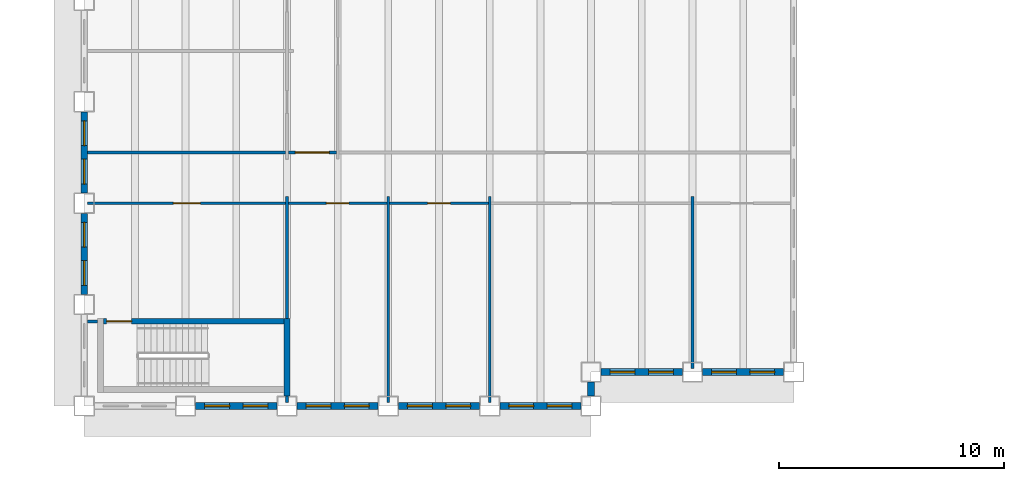
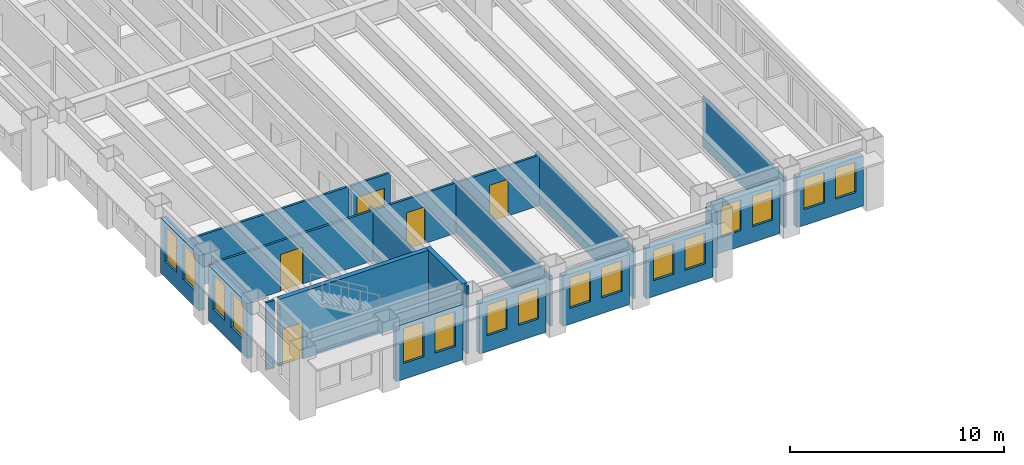
# One storey, part 3 of 13: 22 walls, 16 windows, 5 doors, 21 openings.
"""IFC4 building model written with IfcOpenShell, lengths in metres."""

from ifc_helpers import new_model, si_unit, direction, frame, frame_2d, origin, place, context, subcontext, project, spatial, rectangle, extrude, material, layer, layer_set, type_object, element, fill, save


model = new_model("IFC4")

# Units and contexts
model_context = context("Model", 3, precision=1e-05, world=origin(), true_north=direction((0.0, 1.0)))
body_context = subcontext(model_context, "Body", "Model", "MODEL_VIEW")
ifc_project = project(units=[si_unit("LENGTHUNIT", "METRE"), si_unit("AREAUNIT", "SQUARE_METRE"), si_unit("VOLUMEUNIT", "CUBIC_METRE"), si_unit("PLANEANGLEUNIT", "RADIAN"), si_unit("MASSUNIT", "GRAM", prefix="KILO")], contexts=[model_context])

# Site, building, storey
site_placement = place(None, origin())
site = spatial("IfcSite", under=ifc_project, at=site_placement, CompositionType="ELEMENT")
building_placement = place(site_placement, origin())
building = spatial("IfcBuilding", under=site, at=building_placement, Name="Sennacour Bend Tower", CompositionType="ELEMENT")
storey_placement = place(building_placement, frame((0.0, 0.0, 139.0)))
storey = spatial("IfcBuildingStorey", under=building, at=storey_placement, Name="L31", CompositionType="ELEMENT", Elevation=139.0)

# Walls
ifc_material_1 = material(Name="Plasterboard partition on steel studs", Category="steel")
ifc_layer_1 = layer(ifc_material_1, 0.1201171875, Name="Plasterboard partition on steel studs", Category="steel")
ifc_layer_set_1 = layer_set([ifc_layer_1], Name="Plasterboard partition on steel studs")
wall_type_1 = type_object("IfcWallType", Name="Partition 120", PredefinedType="PARTITIONING", material=ifc_layer_set_1)
wall_1_placement = place(storey_placement, frame((9.0, 0.14990234375, 0.0), z_axis=(0.0, 0.0, 1.0), x_axis=(0.0, 1.0, 0.0)))
element("IfcWall", 1, at=wall_1_placement, inside=storey, type_object=wall_type_1, Name="P-L31-W010a", PredefinedType="PARTITIONING", context=body_context, shape_type="SweptSolid", body=[
    extrude(rectangle(XDim=0.300048828125, YDim=0.1201171875, at=frame_2d((0.14990234375, 0.0))), origin(), (0.0, 0.0, 1.0), 3.85009765625),
])
wall_2_placement = place(storey_placement, frame((9.0, 3.875, 0.0), z_axis=(0.0, 0.0, 1.0), x_axis=(0.0, 1.0, 0.0)))
element("IfcWall", 2, at=wall_2_placement, inside=storey, type_object=wall_type_1, Name="P-L31-W012a", PredefinedType="PARTITIONING", context=body_context, shape_type="SweptSolid", body=[
    extrude(rectangle(XDim=5.425048828125, YDim=0.1201171875, at=frame_2d((2.71240234375, 0.0))), origin(), (0.0, 0.0, 1.0), 2.8701171875),
])
for number, where, z_axis, x_axis, name in (
    (3, (13.5, 0.14990234375, 0.0), (0.0, 0.0, 1.0), (0.0, 1.0, 0.0), "P-L31-W017a"),
    (4, (18.0, 0.14990234375, 0.0), (0.0, 0.0, 1.0), (0.0, 1.0, 0.0), "P-L31-W019a"),
):
    element("IfcWall", number, at=place(storey_placement, frame(where, z_axis=z_axis, x_axis=x_axis)), inside=storey, type_object=wall_type_1, Name=name, PredefinedType="PARTITIONING", context=body_context, shape_type="SweptSolid", body=[
        extrude(rectangle(XDim=9.150146484375, YDim=0.1201171875, at=frame_2d((4.5751953125, 0.0))), origin(), (0.0, 0.0, 1.0), 2.8701171875),
    ])
wall_3_placement = place(storey_placement, frame((27.0, 1.64990234375, 0.0), z_axis=(0.0, 0.0, 1.0), x_axis=(0.0, 1.0, 0.0)))
element("IfcWall", 5, at=wall_3_placement, inside=storey, type_object=wall_type_1, Name="P-L31-W023a", PredefinedType="PARTITIONING", context=body_context, shape_type="SweptSolid", body=[
    extrude(rectangle(XDim=7.650146484375, YDim=0.1201171875, at=frame_2d((3.8251953125, 0.0))), origin(), (0.0, 0.0, 1.0), 2.8701171875),
])
wall_4_placement = place(storey_placement, frame((0.14990234375, 3.75, 0.0), z_axis=(0.0, 0.0, 1.0), x_axis=(1.0, 0.0, 0.0)))
element("IfcWall", 6, at=wall_4_placement, inside=storey, type_object=wall_type_1, Name="P-L31-W045a", PredefinedType="PARTITIONING", context=body_context, shape_type="SweptSolid", body=[
    extrude(rectangle(XDim=0.4501953125, YDim=0.1201171875, at=frame_2d((0.22509765625, 0.0))), origin(), (0.0, 0.0, 1.0), 3.85009765625),
])

# Wall, opening, door
wall_5_placement = place(storey_placement, frame((9.06005859375, 9.0, 0.0), z_axis=(0.0, 0.0, 1.0), x_axis=(1.0, 0.0, 0.0)))
wall_5 = element("IfcWall", 7, at=wall_5_placement, inside=storey, type_object=wall_type_1, Name="P-L31-W053ab", PredefinedType="PARTITIONING", context=body_context, shape_type="SweptSolid", body=[
    extrude(rectangle(XDim=4.3798828125, YDim=0.1201171875, at=frame_2d((2.18994140625, 0.0))), origin(), (0.0, 0.0, 1.0), 2.8701171875),
])
opening_1_placement = place(wall_5_placement, frame((1.68994140625, 0.0, 0.0)))
opening_1 = element("IfcOpeningElement", 8, at=opening_1_placement, cuts=wall_5, Name="Opening OD2", PredefinedType="OPENING", context=body_context, shape_type="SweptSolid", body=[
    extrude(rectangle(XDim=1.0, YDim=2.10009765625, at=frame_2d((0.5, 1.050048828125))), frame((0.0, 0.070068359375, 0.0), z_axis=(0.0, -1.0, 0.0), x_axis=(1.0, 0.0, 0.0)), (0.0, 0.0, 1.0), 0.14013671875),
])
ifc_material_2 = material(Name="Timber", Category="wood")
door_type_1 = type_object("IfcDoorType", Name="DR-OFFICE-1000", OperationType="NOTDEFINED", PredefinedType="DOOR", material=ifc_material_2)
door_1_placement = place(opening_1_placement, origin())
door_1 = element("IfcDoor", 9, at=door_1_placement, inside=storey, type_object=door_type_1, Name="Door", OperationType="SINGLE_SWING_LEFT", OverallHeight=2.10009765625, OverallWidth=1.0, PredefinedType="DOOR", context=body_context, shape_type="SweptSolid", body=[
    extrude(rectangle(XDim=1.0, YDim=2.10009765625, at=frame_2d((0.5, 1.050048828125))), frame((0.0, 0.02490234375, 0.0), z_axis=(0.0, -1.0, 0.0), x_axis=(1.0, 0.0, 0.0)), (0.0, 0.0, 1.0), 0.050048828125),
])
fill(opening_1, door_1)

wall_6_placement = place(storey_placement, frame((13.56005859375, 9.0, 0.0), z_axis=(0.0, 0.0, 1.0), x_axis=(1.0, 0.0, 0.0)))
wall_6 = element("IfcWall", 10, at=wall_6_placement, inside=storey, type_object=wall_type_1, Name="P-L31-W053ac", PredefinedType="PARTITIONING", context=body_context, shape_type="SweptSolid", body=[
    extrude(rectangle(XDim=4.3798828125, YDim=0.1201171875, at=frame_2d((2.18994140625, 0.0))), origin(), (0.0, 0.0, 1.0), 2.8701171875),
])
opening_2_placement = place(wall_6_placement, frame((1.68994140625, 0.0, 0.0)))
opening_2 = element("IfcOpeningElement", 11, at=opening_2_placement, cuts=wall_6, Name="Opening MD2", PredefinedType="OPENING", context=body_context, shape_type="SweptSolid", body=[
    extrude(rectangle(XDim=1.0, YDim=2.10009765625, at=frame_2d((0.5, 1.050048828125))), frame((0.0, 0.070068359375, 0.0), z_axis=(0.0, -1.0, 0.0), x_axis=(1.0, 0.0, 0.0)), (0.0, 0.0, 1.0), 0.14013671875),
])
door_type_2 = type_object("IfcDoorType", Name="DR-MEETING-1000", OperationType="NOTDEFINED", PredefinedType="DOOR", material=ifc_material_2)
door_2_placement = place(opening_2_placement, origin())
door_2 = element("IfcDoor", 12, at=door_2_placement, inside=storey, type_object=door_type_2, Name="Door", OperationType="SINGLE_SWING_LEFT", OverallHeight=2.10009765625, OverallWidth=1.0, PredefinedType="DOOR", context=body_context, shape_type="SweptSolid", body=[
    extrude(rectangle(XDim=1.0, YDim=2.10009765625, at=frame_2d((0.5, 1.050048828125))), frame((0.0, 0.02490234375, 0.0), z_axis=(0.0, -1.0, 0.0), x_axis=(1.0, 0.0, 0.0)), (0.0, 0.0, 1.0), 0.050048828125),
])
fill(opening_2, door_2)

# Wall
wall_7_placement = place(storey_placement, frame((0.14990234375, 11.25, 0.0), z_axis=(0.0, 0.0, 1.0), x_axis=(1.0, 0.0, 0.0)))
element("IfcWall", 13, at=wall_7_placement, inside=storey, type_object=wall_type_1, Name="P-L31-W056aa", PredefinedType="PARTITIONING", context=body_context, shape_type="SweptSolid", body=[
    extrude(rectangle(XDim=8.7900390625, YDim=0.1201171875, at=frame_2d((4.39501953125, 0.0))), origin(), (0.0, 0.0, 1.0), 2.8701171875),
])

# Wall, opening, door
ifc_layer_2 = layer(ifc_material_1, 0.1201171875, Name="Plasterboard partition on steel studs", Category="steel")
ifc_layer_set_2 = layer_set([ifc_layer_2], Name="Plasterboard partition on steel studs")
wall_type_2 = type_object("IfcWallType", Name="Partition 120 EI 30", PredefinedType="PARTITIONING", material=ifc_layer_set_2)
wall_8_placement = place(storey_placement, frame((0.14990234375, 9.0, 0.0), z_axis=(0.0, 0.0, 1.0), x_axis=(1.0, 0.0, 0.0)))
wall_8 = element("IfcWall", 14, at=wall_8_placement, inside=storey, type_object=wall_type_2, Name="P-L31-W053aa", PredefinedType="PARTITIONING", context=body_context, shape_type="SweptSolid", body=[
    extrude(rectangle(XDim=8.7900390625, YDim=0.1201171875, at=frame_2d((4.39501953125, 0.0))), origin(), (0.0, 0.0, 1.0), 2.8701171875),
])
opening_3_placement = place(wall_8_placement, frame((3.80517578125, 0.0, 0.0)))
opening_3 = element("IfcOpeningElement", 15, at=opening_3_placement, cuts=wall_8, Name="Opening KD2", PredefinedType="OPENING", context=body_context, shape_type="SweptSolid", body=[
    extrude(rectangle(XDim=1.199951171875, YDim=2.10009765625, at=frame_2d((0.60009765625, 1.050048828125))), frame((0.0, 0.070068359375, 0.0), z_axis=(0.0, -1.0, 0.0), x_axis=(1.0, 0.0, 0.0)), (0.0, 0.0, 1.0), 0.14013671875),
])
ifc_material_3 = material(Name="Painted steel", Category="steel")
door_type_3 = type_object("IfcDoorType", Name="DR-CORRIDOR-1200", OperationType="NOTDEFINED", PredefinedType="DOOR", material=ifc_material_3)
door_3_placement = place(opening_3_placement, origin())
door_3 = element("IfcDoor", 16, at=door_3_placement, inside=storey, type_object=door_type_3, Name="Door", OperationType="SINGLE_SWING_RIGHT", OverallHeight=2.10009765625, OverallWidth=1.199951171875, PredefinedType="DOOR", context=body_context, shape_type="SweptSolid", body=[
    extrude(rectangle(XDim=1.199951171875, YDim=2.10009765625, at=frame_2d((0.60009765625, 1.050048828125))), frame((0.0, 0.02490234375, 0.0), z_axis=(0.0, -1.0, 0.0), x_axis=(1.0, 0.0, 0.0)), (0.0, 0.0, 1.0), 0.050048828125),
])
fill(opening_3, door_3)

wall_9_placement = place(storey_placement, frame((9.06005859375, 11.25, 0.0), z_axis=(0.0, 0.0, 1.0), x_axis=(1.0, 0.0, 0.0)))
wall_9 = element("IfcWall", 17, at=wall_9_placement, inside=storey, type_object=wall_type_2, Name="P-L31-W056ab", PredefinedType="PARTITIONING", context=body_context, shape_type="SweptSolid", body=[
    extrude(rectangle(XDim=2.1298828125, YDim=0.1201171875, at=frame_2d((1.06494140625, 0.0))), origin(), (0.0, 0.0, 1.0), 2.8701171875),
])
opening_4_placement = place(wall_9_placement, frame((0.31494140625, 0.0, 0.0)))
opening_4 = element("IfcOpeningElement", 18, at=opening_4_placement, cuts=wall_9, Name="Opening KD", PredefinedType="OPENING", context=body_context, shape_type="SweptSolid", body=[
    extrude(rectangle(XDim=1.5, YDim=2.10009765625, at=frame_2d((0.75, 1.050048828125))), frame((0.0, 0.070068359375, 0.0), z_axis=(0.0, -1.0, 0.0), x_axis=(1.0, 0.0, 0.0)), (0.0, 0.0, 1.0), 0.14013671875),
])
door_type_4 = type_object("IfcDoorType", Name="DR-CORRIDOR-1500", OperationType="NOTDEFINED", PredefinedType="DOOR", material=ifc_material_3)
door_4_placement = place(opening_4_placement, origin())
door_4 = element("IfcDoor", 19, at=door_4_placement, inside=storey, type_object=door_type_4, Name="Door", OperationType="SINGLE_SWING_LEFT", OverallHeight=2.10009765625, OverallWidth=1.5, PredefinedType="DOOR", context=body_context, shape_type="SweptSolid", body=[
    extrude(rectangle(XDim=1.5, YDim=2.10009765625, at=frame_2d((0.75, 1.050048828125))), frame((0.0, 0.02490234375, 0.0), z_axis=(0.0, -1.0, 0.0), x_axis=(1.0, 0.0, 0.0)), (0.0, 0.0, 1.0), 0.050048828125),
])
fill(opening_4, door_4)

# Wall, openings, windows
ifc_material_4 = material(Name="Warm limestone cladding", Category="masonry")
ifc_layer_3 = layer(ifc_material_4, 0.050048828125, Name="Warm limestone cladding", Category="masonry")
ifc_material_5 = material(Name="Precast concrete C40/50", Category="concrete")
ifc_layer_4 = layer(ifc_material_5, 0.25, Name="Precast concrete C40/50", Category="concrete")
ifc_layer_set_3 = layer_set([ifc_layer_3, ifc_layer_4], Name="Precast concrete C40/50 with limestone cladding")
wall_type_3 = type_object("IfcWallType", Name="STONE-CLAD PRECAST SPANDREL 300", PredefinedType="STANDARD", material=ifc_layer_set_3)
wall_10_placement = place(storey_placement, frame((0.0, 13.050048828125, 0.0), z_axis=(0.0, 0.0, 1.0), x_axis=(0.0, -1.0, 0.0)))
wall_10 = element("IfcWall", 20, at=wall_10_placement, inside=storey, type_object=wall_type_3, Name="Stone spandrel and pier wall L31 23.02", PredefinedType="STANDARD", context=body_context, shape_type="SweptSolid", body=[
    extrude(rectangle(XDim=3.60009765625, YDim=0.300048828125, at=frame_2d((1.800048828125, 0.0))), origin(), (0.0, 0.0, 1.0), 3.14892578125),
])
opening_5_placement = place(wall_10_placement, frame((0.39990234375, 0.0, 0.89990234375)))
opening_5 = element("IfcOpeningElement", 21, at=opening_5_placement, cuts=wall_10, Name="Opening W19", PredefinedType="OPENING", context=body_context, shape_type="SweptSolid", body=[
    extrude(rectangle(XDim=1.10009765625, YDim=2.0, at=frame_2d((0.550048828125, 1.0))), frame((0.0, 0.16015625, 0.0), z_axis=(0.0, -1.0, 0.0), x_axis=(1.0, 0.0, 0.0)), (0.0, 0.0, 1.0), 0.320068359375),
])
opening_6_placement = place(wall_10_placement, frame((2.10009765625, 0.0, 0.89990234375)))
opening_6 = element("IfcOpeningElement", 22, at=opening_6_placement, cuts=wall_10, Name="Opening W19", PredefinedType="OPENING", context=body_context, shape_type="SweptSolid", body=[
    extrude(rectangle(XDim=1.10009765625, YDim=2.0, at=frame_2d((0.550048828125, 1.0))), frame((0.0, 0.16015625, 0.0), z_axis=(0.0, -1.0, 0.0), x_axis=(1.0, 0.0, 0.0)), (0.0, 0.0, 1.0), 0.320068359375),
])
ifc_material_6 = material(Name="Clear low-emissivity glass", Category="glass")
window_type_1 = type_object("IfcWindowType", Name="WIN-RIBBON-1100x2000", PartitioningType="SINGLE_PANEL", PredefinedType="WINDOW", material=ifc_material_6)
window_1_placement = place(opening_5_placement, origin())
window_1 = element("IfcWindow", 23, at=window_1_placement, inside=storey, type_object=window_type_1, Name="Ribbon window L31 23.02.0", OverallHeight=2.0, OverallWidth=1.10009765625, PartitioningType="SINGLE_PANEL", PredefinedType="WINDOW", context=body_context, shape_type="SweptSolid", body=[
    extrude(rectangle(XDim=1.10009765625, YDim=2.0, at=frame_2d((0.550048828125, 1.0))), frame((0.0, 0.030029296875, 0.0), z_axis=(0.0, -1.0, 0.0), x_axis=(1.0, 0.0, 0.0)), (0.0, 0.0, 1.0), 0.06005859375),
])
fill(opening_5, window_1)
window_2_placement = place(opening_6_placement, origin())
window_2 = element("IfcWindow", 24, at=window_2_placement, inside=storey, type_object=window_type_1, Name="Ribbon window L31 23.02.1", OverallHeight=2.0, OverallWidth=1.10009765625, PartitioningType="SINGLE_PANEL", PredefinedType="WINDOW", context=body_context, shape_type="SweptSolid", body=[
    extrude(rectangle(XDim=1.10009765625, YDim=2.0, at=frame_2d((0.550048828125, 1.0))), frame((0.0, 0.030029296875, 0.0), z_axis=(0.0, -1.0, 0.0), x_axis=(1.0, 0.0, 0.0)), (0.0, 0.0, 1.0), 0.06005859375),
])
fill(opening_6, window_2)

wall_11_placement = place(storey_placement, frame((0.0, 8.550048828125, 0.0), z_axis=(0.0, 0.0, 1.0), x_axis=(0.0, -1.0, 0.0)))
wall_11 = element("IfcWall", 25, at=wall_11_placement, inside=storey, type_object=wall_type_3, Name="Stone spandrel and pier wall L31 23.03", PredefinedType="STANDARD", context=body_context, shape_type="SweptSolid", body=[
    extrude(rectangle(XDim=3.60009765625, YDim=0.300048828125, at=frame_2d((1.800048828125, 0.0))), origin(), (0.0, 0.0, 1.0), 3.14892578125),
])
opening_7_placement = place(wall_11_placement, frame((0.39990234375, 0.0, 0.89990234375)))
opening_7 = element("IfcOpeningElement", 26, at=opening_7_placement, cuts=wall_11, Name="Opening W19", PredefinedType="OPENING", context=body_context, shape_type="SweptSolid", body=[
    extrude(rectangle(XDim=1.10009765625, YDim=2.0, at=frame_2d((0.550048828125, 1.0))), frame((0.0, 0.16015625, 0.0), z_axis=(0.0, -1.0, 0.0), x_axis=(1.0, 0.0, 0.0)), (0.0, 0.0, 1.0), 0.320068359375),
])
opening_8_placement = place(wall_11_placement, frame((2.10009765625, 0.0, 0.89990234375)))
opening_8 = element("IfcOpeningElement", 27, at=opening_8_placement, cuts=wall_11, Name="Opening W19", PredefinedType="OPENING", context=body_context, shape_type="SweptSolid", body=[
    extrude(rectangle(XDim=1.10009765625, YDim=2.0, at=frame_2d((0.550048828125, 1.0))), frame((0.0, 0.16015625, 0.0), z_axis=(0.0, -1.0, 0.0), x_axis=(1.0, 0.0, 0.0)), (0.0, 0.0, 1.0), 0.320068359375),
])
window_3_placement = place(opening_7_placement, origin())
window_3 = element("IfcWindow", 28, at=window_3_placement, inside=storey, type_object=window_type_1, Name="Ribbon window L31 23.03.0", OverallHeight=2.0, OverallWidth=1.10009765625, PartitioningType="SINGLE_PANEL", PredefinedType="WINDOW", context=body_context, shape_type="SweptSolid", body=[
    extrude(rectangle(XDim=1.10009765625, YDim=2.0, at=frame_2d((0.550048828125, 1.0))), frame((0.0, 0.030029296875, 0.0), z_axis=(0.0, -1.0, 0.0), x_axis=(1.0, 0.0, 0.0)), (0.0, 0.0, 1.0), 0.06005859375),
])
fill(opening_7, window_3)
window_4_placement = place(opening_8_placement, origin())
window_4 = element("IfcWindow", 29, at=window_4_placement, inside=storey, type_object=window_type_1, Name="Ribbon window L31 23.03.1", OverallHeight=2.0, OverallWidth=1.10009765625, PartitioningType="SINGLE_PANEL", PredefinedType="WINDOW", context=body_context, shape_type="SweptSolid", body=[
    extrude(rectangle(XDim=1.10009765625, YDim=2.0, at=frame_2d((0.550048828125, 1.0))), frame((0.0, 0.030029296875, 0.0), z_axis=(0.0, -1.0, 0.0), x_axis=(1.0, 0.0, 0.0)), (0.0, 0.0, 1.0), 0.06005859375),
])
fill(opening_8, window_4)

wall_12_placement = place(storey_placement, frame((4.949951171875, 0.0, 0.0), z_axis=(0.0, 0.0, 1.0), x_axis=(1.0, 0.0, 0.0)))
wall_12 = element("IfcWall", 30, at=wall_12_placement, inside=storey, type_object=wall_type_3, Name="Stone spandrel and pier wall L31 24.01", PredefinedType="STANDARD", context=body_context, shape_type="SweptSolid", body=[
    extrude(rectangle(XDim=3.60009765625, YDim=0.300048828125, at=frame_2d((1.800048828125, 0.0))), origin(), (0.0, 0.0, 1.0), 3.14892578125),
])
opening_9_placement = place(wall_12_placement, frame((0.39990234375, 0.0, 0.89990234375)))
opening_9 = element("IfcOpeningElement", 31, at=opening_9_placement, cuts=wall_12, Name="Opening W19", PredefinedType="OPENING", context=body_context, shape_type="SweptSolid", body=[
    extrude(rectangle(XDim=1.10009765625, YDim=2.0, at=frame_2d((0.550048828125, 1.0))), frame((0.0, 0.16015625, 0.0), z_axis=(0.0, -1.0, 0.0), x_axis=(1.0, 0.0, 0.0)), (0.0, 0.0, 1.0), 0.320068359375),
])
opening_10_placement = place(wall_12_placement, frame((2.10009765625, 0.0, 0.89990234375)))
opening_10 = element("IfcOpeningElement", 32, at=opening_10_placement, cuts=wall_12, Name="Opening W19", PredefinedType="OPENING", context=body_context, shape_type="SweptSolid", body=[
    extrude(rectangle(XDim=1.10009765625, YDim=2.0, at=frame_2d((0.550048828125, 1.0))), frame((0.0, 0.16015625, 0.0), z_axis=(0.0, -1.0, 0.0), x_axis=(1.0, 0.0, 0.0)), (0.0, 0.0, 1.0), 0.320068359375),
])
window_5_placement = place(opening_9_placement, origin())
window_5 = element("IfcWindow", 33, at=window_5_placement, inside=storey, type_object=window_type_1, Name="Ribbon window L31 24.01.0", OverallHeight=2.0, OverallWidth=1.10009765625, PartitioningType="SINGLE_PANEL", PredefinedType="WINDOW", context=body_context, shape_type="SweptSolid", body=[
    extrude(rectangle(XDim=1.10009765625, YDim=2.0, at=frame_2d((0.550048828125, 1.0))), frame((0.0, 0.030029296875, 0.0), z_axis=(0.0, -1.0, 0.0), x_axis=(1.0, 0.0, 0.0)), (0.0, 0.0, 1.0), 0.06005859375),
])
fill(opening_9, window_5)
window_6_placement = place(opening_10_placement, origin())
window_6 = element("IfcWindow", 34, at=window_6_placement, inside=storey, type_object=window_type_1, Name="Ribbon window L31 24.01.1", OverallHeight=2.0, OverallWidth=1.10009765625, PartitioningType="SINGLE_PANEL", PredefinedType="WINDOW", context=body_context, shape_type="SweptSolid", body=[
    extrude(rectangle(XDim=1.10009765625, YDim=2.0, at=frame_2d((0.550048828125, 1.0))), frame((0.0, 0.030029296875, 0.0), z_axis=(0.0, -1.0, 0.0), x_axis=(1.0, 0.0, 0.0)), (0.0, 0.0, 1.0), 0.06005859375),
])
fill(opening_10, window_6)

wall_13_placement = place(storey_placement, frame((9.449951171875, 0.0, 0.0), z_axis=(0.0, 0.0, 1.0), x_axis=(1.0, 0.0, 0.0)))
wall_13 = element("IfcWall", 35, at=wall_13_placement, inside=storey, type_object=wall_type_3, Name="Stone spandrel and pier wall L31 24.02", PredefinedType="STANDARD", context=body_context, shape_type="SweptSolid", body=[
    extrude(rectangle(XDim=3.60009765625, YDim=0.300048828125, at=frame_2d((1.800048828125, 0.0))), origin(), (0.0, 0.0, 1.0), 2.8701171875),
])
opening_11_placement = place(wall_13_placement, frame((0.39990234375, 0.0, 0.89990234375)))
opening_11 = element("IfcOpeningElement", 36, at=opening_11_placement, cuts=wall_13, Name="Opening W17", PredefinedType="OPENING", context=body_context, shape_type="SweptSolid", body=[
    extrude(rectangle(XDim=1.10009765625, YDim=1.75, at=frame_2d((0.550048828125, 0.875))), frame((0.0, 0.16015625, 0.0), z_axis=(0.0, -1.0, 0.0), x_axis=(1.0, 0.0, 0.0)), (0.0, 0.0, 1.0), 0.320068359375),
])
opening_12_placement = place(wall_13_placement, frame((2.10009765625, 0.0, 0.89990234375)))
opening_12 = element("IfcOpeningElement", 37, at=opening_12_placement, cuts=wall_13, Name="Opening W17", PredefinedType="OPENING", context=body_context, shape_type="SweptSolid", body=[
    extrude(rectangle(XDim=1.10009765625, YDim=1.75, at=frame_2d((0.550048828125, 0.875))), frame((0.0, 0.16015625, 0.0), z_axis=(0.0, -1.0, 0.0), x_axis=(1.0, 0.0, 0.0)), (0.0, 0.0, 1.0), 0.320068359375),
])
window_type_2 = type_object("IfcWindowType", Name="WIN-RIBBON-1100x1750", PartitioningType="SINGLE_PANEL", PredefinedType="WINDOW", material=ifc_material_6)
window_7_placement = place(opening_11_placement, origin())
window_7 = element("IfcWindow", 38, at=window_7_placement, inside=storey, type_object=window_type_2, Name="Ribbon window L31 24.02.0", OverallHeight=1.75, OverallWidth=1.10009765625, PartitioningType="SINGLE_PANEL", PredefinedType="WINDOW", context=body_context, shape_type="SweptSolid", body=[
    extrude(rectangle(XDim=1.10009765625, YDim=1.75, at=frame_2d((0.550048828125, 0.875))), frame((0.0, 0.030029296875, 0.0), z_axis=(0.0, -1.0, 0.0), x_axis=(1.0, 0.0, 0.0)), (0.0, 0.0, 1.0), 0.06005859375),
])
fill(opening_11, window_7)
window_8_placement = place(opening_12_placement, origin())
window_8 = element("IfcWindow", 39, at=window_8_placement, inside=storey, type_object=window_type_2, Name="Ribbon window L31 24.02.1", OverallHeight=1.75, OverallWidth=1.10009765625, PartitioningType="SINGLE_PANEL", PredefinedType="WINDOW", context=body_context, shape_type="SweptSolid", body=[
    extrude(rectangle(XDim=1.10009765625, YDim=1.75, at=frame_2d((0.550048828125, 0.875))), frame((0.0, 0.030029296875, 0.0), z_axis=(0.0, -1.0, 0.0), x_axis=(1.0, 0.0, 0.0)), (0.0, 0.0, 1.0), 0.06005859375),
])
fill(opening_12, window_8)

wall_14_placement = place(storey_placement, frame((13.949951171875, 0.0, 0.0), z_axis=(0.0, 0.0, 1.0), x_axis=(1.0, 0.0, 0.0)))
wall_14 = element("IfcWall", 40, at=wall_14_placement, inside=storey, type_object=wall_type_3, Name="Stone spandrel and pier wall L31 24.03", PredefinedType="STANDARD", context=body_context, shape_type="SweptSolid", body=[
    extrude(rectangle(XDim=3.60009765625, YDim=0.300048828125, at=frame_2d((1.800048828125, 0.0))), origin(), (0.0, 0.0, 1.0), 2.8701171875),
])
opening_13_placement = place(wall_14_placement, frame((0.39990234375, 0.0, 0.89990234375)))
opening_13 = element("IfcOpeningElement", 41, at=opening_13_placement, cuts=wall_14, Name="Opening W17", PredefinedType="OPENING", context=body_context, shape_type="SweptSolid", body=[
    extrude(rectangle(XDim=1.10009765625, YDim=1.75, at=frame_2d((0.550048828125, 0.875))), frame((0.0, 0.16015625, 0.0), z_axis=(0.0, -1.0, 0.0), x_axis=(1.0, 0.0, 0.0)), (0.0, 0.0, 1.0), 0.320068359375),
])
opening_14_placement = place(wall_14_placement, frame((2.10009765625, 0.0, 0.89990234375)))
opening_14 = element("IfcOpeningElement", 42, at=opening_14_placement, cuts=wall_14, Name="Opening W17", PredefinedType="OPENING", context=body_context, shape_type="SweptSolid", body=[
    extrude(rectangle(XDim=1.10009765625, YDim=1.75, at=frame_2d((0.550048828125, 0.875))), frame((0.0, 0.16015625, 0.0), z_axis=(0.0, -1.0, 0.0), x_axis=(1.0, 0.0, 0.0)), (0.0, 0.0, 1.0), 0.320068359375),
])
window_9_placement = place(opening_13_placement, origin())
window_9 = element("IfcWindow", 43, at=window_9_placement, inside=storey, type_object=window_type_2, Name="Ribbon window L31 24.03.0", OverallHeight=1.75, OverallWidth=1.10009765625, PartitioningType="SINGLE_PANEL", PredefinedType="WINDOW", context=body_context, shape_type="SweptSolid", body=[
    extrude(rectangle(XDim=1.10009765625, YDim=1.75, at=frame_2d((0.550048828125, 0.875))), frame((0.0, 0.030029296875, 0.0), z_axis=(0.0, -1.0, 0.0), x_axis=(1.0, 0.0, 0.0)), (0.0, 0.0, 1.0), 0.06005859375),
])
fill(opening_13, window_9)
window_10_placement = place(opening_14_placement, origin())
window_10 = element("IfcWindow", 44, at=window_10_placement, inside=storey, type_object=window_type_2, Name="Ribbon window L31 24.03.1", OverallHeight=1.75, OverallWidth=1.10009765625, PartitioningType="SINGLE_PANEL", PredefinedType="WINDOW", context=body_context, shape_type="SweptSolid", body=[
    extrude(rectangle(XDim=1.10009765625, YDim=1.75, at=frame_2d((0.550048828125, 0.875))), frame((0.0, 0.030029296875, 0.0), z_axis=(0.0, -1.0, 0.0), x_axis=(1.0, 0.0, 0.0)), (0.0, 0.0, 1.0), 0.06005859375),
])
fill(opening_14, window_10)

wall_15_placement = place(storey_placement, frame((18.449951171875, 0.0, 0.0), z_axis=(0.0, 0.0, 1.0), x_axis=(1.0, 0.0, 0.0)))
wall_15 = element("IfcWall", 45, at=wall_15_placement, inside=storey, type_object=wall_type_3, Name="Stone spandrel and pier wall L31 24.04", PredefinedType="STANDARD", context=body_context, shape_type="SweptSolid", body=[
    extrude(rectangle(XDim=3.60009765625, YDim=0.300048828125, at=frame_2d((1.800048828125, 0.0))), origin(), (0.0, 0.0, 1.0), 2.8701171875),
])
opening_15_placement = place(wall_15_placement, frame((0.39990234375, 0.0, 0.89990234375)))
opening_15 = element("IfcOpeningElement", 46, at=opening_15_placement, cuts=wall_15, Name="Opening W17", PredefinedType="OPENING", context=body_context, shape_type="SweptSolid", body=[
    extrude(rectangle(XDim=1.10009765625, YDim=1.75, at=frame_2d((0.550048828125, 0.875))), frame((0.0, 0.16015625, 0.0), z_axis=(0.0, -1.0, 0.0), x_axis=(1.0, 0.0, 0.0)), (0.0, 0.0, 1.0), 0.320068359375),
])
opening_16_placement = place(wall_15_placement, frame((2.10009765625, 0.0, 0.89990234375)))
opening_16 = element("IfcOpeningElement", 47, at=opening_16_placement, cuts=wall_15, Name="Opening W17", PredefinedType="OPENING", context=body_context, shape_type="SweptSolid", body=[
    extrude(rectangle(XDim=1.10009765625, YDim=1.75, at=frame_2d((0.550048828125, 0.875))), frame((0.0, 0.16015625, 0.0), z_axis=(0.0, -1.0, 0.0), x_axis=(1.0, 0.0, 0.0)), (0.0, 0.0, 1.0), 0.320068359375),
])
window_11_placement = place(opening_15_placement, origin())
window_11 = element("IfcWindow", 48, at=window_11_placement, inside=storey, type_object=window_type_2, Name="Ribbon window L31 24.04.0", OverallHeight=1.75, OverallWidth=1.10009765625, PartitioningType="SINGLE_PANEL", PredefinedType="WINDOW", context=body_context, shape_type="SweptSolid", body=[
    extrude(rectangle(XDim=1.10009765625, YDim=1.75, at=frame_2d((0.550048828125, 0.875))), frame((0.0, 0.030029296875, 0.0), z_axis=(0.0, -1.0, 0.0), x_axis=(1.0, 0.0, 0.0)), (0.0, 0.0, 1.0), 0.06005859375),
])
fill(opening_15, window_11)
window_12_placement = place(opening_16_placement, origin())
window_12 = element("IfcWindow", 49, at=window_12_placement, inside=storey, type_object=window_type_2, Name="Ribbon window L31 24.04.1", OverallHeight=1.75, OverallWidth=1.10009765625, PartitioningType="SINGLE_PANEL", PredefinedType="WINDOW", context=body_context, shape_type="SweptSolid", body=[
    extrude(rectangle(XDim=1.10009765625, YDim=1.75, at=frame_2d((0.550048828125, 0.875))), frame((0.0, 0.030029296875, 0.0), z_axis=(0.0, -1.0, 0.0), x_axis=(1.0, 0.0, 0.0)), (0.0, 0.0, 1.0), 0.06005859375),
])
fill(opening_16, window_12)

# Wall
wall_16_placement = place(storey_placement, frame((22.5, 0.449951171875, 0.0), z_axis=(0.0, 0.0, 1.0), x_axis=(0.0, 1.0, 0.0)))
element("IfcWall", 50, at=wall_16_placement, inside=storey, type_object=wall_type_3, Name="Stone spandrel and pier wall L31 25.00", PredefinedType="STANDARD", context=body_context, shape_type="SweptSolid", body=[
    extrude(rectangle(XDim=0.60009765625, YDim=0.300048828125, at=frame_2d((0.300048828125, 0.0))), origin(), (0.0, 0.0, 1.0), 3.14892578125),
])

# Wall, openings, windows
wall_17_placement = place(storey_placement, frame((22.949951171875, 1.5, 0.0), z_axis=(0.0, 0.0, 1.0), x_axis=(1.0, 0.0, 0.0)))
wall_17 = element("IfcWall", 51, at=wall_17_placement, inside=storey, type_object=wall_type_3, Name="Stone spandrel and pier wall L31 26.00", PredefinedType="STANDARD", context=body_context, shape_type="SweptSolid", body=[
    extrude(rectangle(XDim=3.60009765625, YDim=0.300048828125, at=frame_2d((1.800048828125, 0.0))), origin(), (0.0, 0.0, 1.0), 2.8701171875),
])
opening_17_placement = place(wall_17_placement, frame((0.39990234375, 0.0, 0.89990234375)))
opening_17 = element("IfcOpeningElement", 52, at=opening_17_placement, cuts=wall_17, Name="Opening W17", PredefinedType="OPENING", context=body_context, shape_type="SweptSolid", body=[
    extrude(rectangle(XDim=1.10009765625, YDim=1.75, at=frame_2d((0.550048828125, 0.875))), frame((0.0, 0.16015625, 0.0), z_axis=(0.0, -1.0, 0.0), x_axis=(1.0, 0.0, 0.0)), (0.0, 0.0, 1.0), 0.320068359375),
])
opening_18_placement = place(wall_17_placement, frame((2.10009765625, 0.0, 0.89990234375)))
opening_18 = element("IfcOpeningElement", 53, at=opening_18_placement, cuts=wall_17, Name="Opening W17", PredefinedType="OPENING", context=body_context, shape_type="SweptSolid", body=[
    extrude(rectangle(XDim=1.10009765625, YDim=1.75, at=frame_2d((0.550048828125, 0.875))), frame((0.0, 0.16015625, 0.0), z_axis=(0.0, -1.0, 0.0), x_axis=(1.0, 0.0, 0.0)), (0.0, 0.0, 1.0), 0.320068359375),
])
window_13_placement = place(opening_17_placement, origin())
window_13 = element("IfcWindow", 54, at=window_13_placement, inside=storey, type_object=window_type_2, Name="Ribbon window L31 26.00.0", OverallHeight=1.75, OverallWidth=1.10009765625, PartitioningType="SINGLE_PANEL", PredefinedType="WINDOW", context=body_context, shape_type="SweptSolid", body=[
    extrude(rectangle(XDim=1.10009765625, YDim=1.75, at=frame_2d((0.550048828125, 0.875))), frame((0.0, 0.030029296875, 0.0), z_axis=(0.0, -1.0, 0.0), x_axis=(1.0, 0.0, 0.0)), (0.0, 0.0, 1.0), 0.06005859375),
])
fill(opening_17, window_13)
window_14_placement = place(opening_18_placement, origin())
window_14 = element("IfcWindow", 55, at=window_14_placement, inside=storey, type_object=window_type_2, Name="Ribbon window L31 26.00.1", OverallHeight=1.75, OverallWidth=1.10009765625, PartitioningType="SINGLE_PANEL", PredefinedType="WINDOW", context=body_context, shape_type="SweptSolid", body=[
    extrude(rectangle(XDim=1.10009765625, YDim=1.75, at=frame_2d((0.550048828125, 0.875))), frame((0.0, 0.030029296875, 0.0), z_axis=(0.0, -1.0, 0.0), x_axis=(1.0, 0.0, 0.0)), (0.0, 0.0, 1.0), 0.06005859375),
])
fill(opening_18, window_14)

wall_18_placement = place(storey_placement, frame((27.449951171875, 1.5, 0.0), z_axis=(0.0, 0.0, 1.0), x_axis=(1.0, 0.0, 0.0)))
wall_18 = element("IfcWall", 56, at=wall_18_placement, inside=storey, type_object=wall_type_3, Name="Stone spandrel and pier wall L31 26.01", PredefinedType="STANDARD", context=body_context, shape_type="SweptSolid", body=[
    extrude(rectangle(XDim=3.60009765625, YDim=0.300048828125, at=frame_2d((1.800048828125, 0.0))), origin(), (0.0, 0.0, 1.0), 2.8701171875),
])
opening_19_placement = place(wall_18_placement, frame((0.39990234375, 0.0, 0.89990234375)))
opening_19 = element("IfcOpeningElement", 57, at=opening_19_placement, cuts=wall_18, Name="Opening W17", PredefinedType="OPENING", context=body_context, shape_type="SweptSolid", body=[
    extrude(rectangle(XDim=1.10009765625, YDim=1.75, at=frame_2d((0.550048828125, 0.875))), frame((0.0, 0.16015625, 0.0), z_axis=(0.0, -1.0, 0.0), x_axis=(1.0, 0.0, 0.0)), (0.0, 0.0, 1.0), 0.320068359375),
])
opening_20_placement = place(wall_18_placement, frame((2.10009765625, 0.0, 0.89990234375)))
opening_20 = element("IfcOpeningElement", 58, at=opening_20_placement, cuts=wall_18, Name="Opening W17", PredefinedType="OPENING", context=body_context, shape_type="SweptSolid", body=[
    extrude(rectangle(XDim=1.10009765625, YDim=1.75, at=frame_2d((0.550048828125, 0.875))), frame((0.0, 0.16015625, 0.0), z_axis=(0.0, -1.0, 0.0), x_axis=(1.0, 0.0, 0.0)), (0.0, 0.0, 1.0), 0.320068359375),
])
window_15_placement = place(opening_19_placement, origin())
window_15 = element("IfcWindow", 59, at=window_15_placement, inside=storey, type_object=window_type_2, Name="Ribbon window L31 26.01.0", OverallHeight=1.75, OverallWidth=1.10009765625, PartitioningType="SINGLE_PANEL", PredefinedType="WINDOW", context=body_context, shape_type="SweptSolid", body=[
    extrude(rectangle(XDim=1.10009765625, YDim=1.75, at=frame_2d((0.550048828125, 0.875))), frame((0.0, 0.030029296875, 0.0), z_axis=(0.0, -1.0, 0.0), x_axis=(1.0, 0.0, 0.0)), (0.0, 0.0, 1.0), 0.06005859375),
])
fill(opening_19, window_15)
window_16_placement = place(opening_20_placement, origin())
window_16 = element("IfcWindow", 60, at=window_16_placement, inside=storey, type_object=window_type_2, Name="Ribbon window L31 26.01.1", OverallHeight=1.75, OverallWidth=1.10009765625, PartitioningType="SINGLE_PANEL", PredefinedType="WINDOW", context=body_context, shape_type="SweptSolid", body=[
    extrude(rectangle(XDim=1.10009765625, YDim=1.75, at=frame_2d((0.550048828125, 0.875))), frame((0.0, 0.030029296875, 0.0), z_axis=(0.0, -1.0, 0.0), x_axis=(1.0, 0.0, 0.0)), (0.0, 0.0, 1.0), 0.06005859375),
])
fill(opening_20, window_16)

# Wall
ifc_material_7 = material(Name="Concrete C60/75", Category="concrete")
ifc_layer_5 = layer(ifc_material_7, 0.25, Name="Concrete C60/75", Category="concrete")
ifc_layer_set_4 = layer_set([ifc_layer_5], Name="Concrete C60/75")
wall_type_4 = type_object("IfcWallType", Name="Stair wall 250", PredefinedType="SHEAR", material=ifc_layer_set_4)
wall_19_placement = place(storey_placement, frame((9.0, 0.449951171875, 0.0), z_axis=(0.0, 0.0, 1.0), x_axis=(0.0, 1.0, 0.0)))
element("IfcWall", 61, at=wall_19_placement, inside=storey, type_object=wall_type_4, Name="P-L31-W011", PredefinedType="SHEAR", context=body_context, shape_type="SweptSolid", body=[
    extrude(rectangle(XDim=3.425048828125, YDim=0.25, at=frame_2d((1.71240234375, 0.0))), origin(), (0.0, 0.0, 1.0), 3.85009765625),
])

# Wall, opening, door
wall_20_placement = place(storey_placement, frame((0.85009765625, 3.75, 0.0), z_axis=(0.0, 0.0, 1.0), x_axis=(1.0, 0.0, 0.0)))
wall_20 = element("IfcWall", 62, at=wall_20_placement, inside=storey, type_object=wall_type_4, Name="P-L31-W046", PredefinedType="SHEAR", context=body_context, shape_type="SweptSolid", body=[
    extrude(rectangle(XDim=8.02490234375, YDim=0.25, at=frame_2d((4.012451171875, 0.0))), origin(), (0.0, 0.0, 1.0), 3.85009765625),
])
opening_21_placement = place(wall_20_placement, frame((0.14990234375, 0.0, 0.0)))
opening_21 = element("IfcOpeningElement", 63, at=opening_21_placement, cuts=wall_20, Name="Opening SD", PredefinedType="OPENING", context=body_context, shape_type="SweptSolid", body=[
    extrude(rectangle(XDim=1.10009765625, YDim=2.10009765625, at=frame_2d((0.550048828125, 1.050048828125))), frame((0.0, 0.135009765625, 0.0), z_axis=(0.0, -1.0, 0.0), x_axis=(1.0, 0.0, 0.0)), (0.0, 0.0, 1.0), 0.27001953125),
])
door_type_5 = type_object("IfcDoorType", Name="DR-STAIR-1100", OperationType="NOTDEFINED", PredefinedType="DOOR", material=ifc_material_3)
door_5_placement = place(opening_21_placement, origin())
door_5 = element("IfcDoor", 64, at=door_5_placement, inside=storey, type_object=door_type_5, Name="Door", OperationType="SINGLE_SWING_LEFT", OverallHeight=2.10009765625, OverallWidth=1.10009765625, PredefinedType="DOOR", context=body_context, shape_type="SweptSolid", body=[
    extrude(rectangle(XDim=1.10009765625, YDim=2.10009765625, at=frame_2d((0.550048828125, 1.050048828125))), frame((0.0, 0.02490234375, 0.0), z_axis=(0.0, -1.0, 0.0), x_axis=(1.0, 0.0, 0.0)), (0.0, 0.0, 1.0), 0.050048828125),
])
fill(opening_21, door_5)

save(model, "model.ifc")
